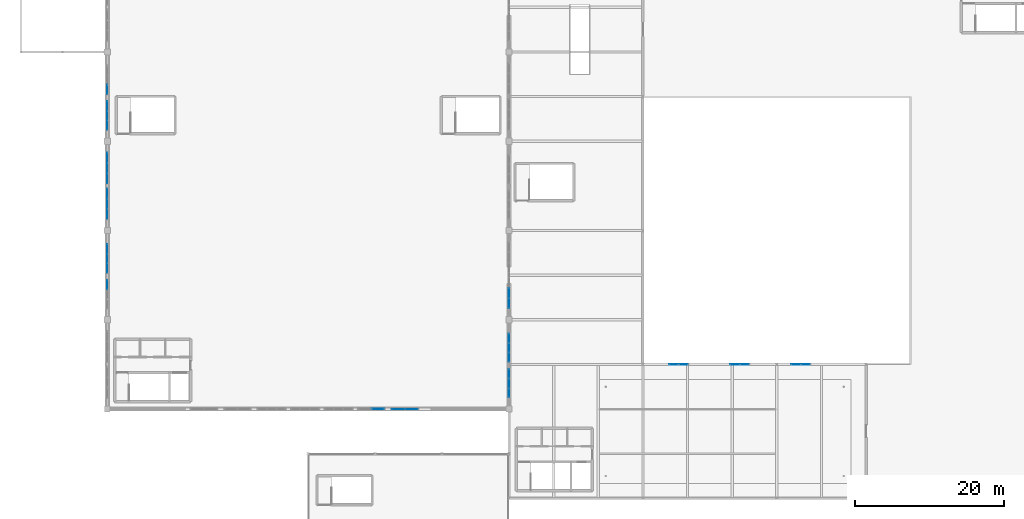
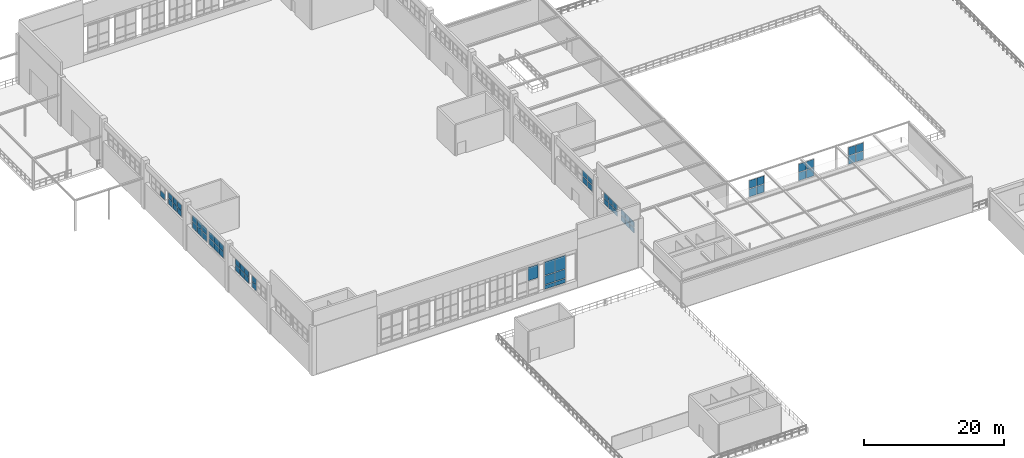
# One storey, part 71 of 97: 62 plates, 14 elements without a shape of their own.
"""IFC4 building model written with IfcOpenShell, lengths in metres."""

from ifc_helpers import new_model, si_unit, derived_unit, direction, frame, origin, origin_2d, place, context, subcontext, project, spatial, rectangle, extrude, material, layer, layer_set, type_object, element, aggregate, save


model = new_model("IFC4")

# Units and contexts
model_context = context("Model", 3, precision=1e-05, world=origin(), true_north=direction((0.0, 1.0)))
body_context = subcontext(model_context, "Body", "Model", "MODEL_VIEW")
ifc_project = project(units=[si_unit("LENGTHUNIT", "METRE"), si_unit("AREAUNIT", "SQUARE_METRE"), si_unit("VOLUMEUNIT", "CUBIC_METRE"), si_unit("PLANEANGLEUNIT", "RADIAN"), si_unit("MASSUNIT", "GRAM", prefix="KILO"), derived_unit("THERMALTRANSMITTANCEUNIT", [(si_unit("POWERUNIT", "WATT"), 1), (si_unit("LENGTHUNIT", "METRE"), -2), (si_unit("THERMODYNAMICTEMPERATUREUNIT", "KELVIN"), -1)])], contexts=[model_context])

# Site, building, storey
site_placement = place(None, origin())
site = spatial("IfcSite", under=ifc_project, at=site_placement, CompositionType="ELEMENT")
building_placement = place(site_placement, origin())
building = spatial("IfcBuilding", under=site, at=building_placement, Name="Almenara Railside Exhibition Hall", CompositionType="ELEMENT")
storey_placement = place(building_placement, frame((0.0, 0.0, 10.800048828125)))
storey = spatial("IfcBuildingStorey", under=building, at=storey_placement, Name="L02", CompositionType="ELEMENT", Elevation=10.800048828125)

# Curtain wall, plates
ifc_material_1 = material(Name="Bronze-anodised aluminium and low-E double glazing", Category="aluminium")
ifc_layer_1 = layer(ifc_material_1, 0.179931640625, Name="Bronze-anodised aluminium and low-E double glazing")
ifc_layer_set_1 = layer_set([ifc_layer_1], Name="Bronze-anodised aluminium and low-E double glazing")
curtain_wall_type_1 = type_object("IfcCurtainWallType", Name="West Hall Clerestory Curtain Wall 3900x2200", PredefinedType="NOTDEFINED", material=ifc_layer_set_1)
curtain_wall_1_placement = place(storey_placement, origin())
curtain_wall_1 = element("IfcCurtainWall", 1, at=curtain_wall_1_placement, inside=storey, type_object=curtain_wall_type_1, Name="Curtain wall CW-CL2-005", PredefinedType="NOTDEFINED")
ifc_material_2 = material(Name="Solar-control acoustic laminated glazing", Category="glass")
ifc_layer_2 = layer(ifc_material_2, 0.031982421875, Name="Solar-control acoustic laminated glazing")
ifc_layer_set_2 = layer_set([ifc_layer_2], Name="Solar-control acoustic laminated glazing")
plate_type_1 = type_object("IfcPlateType", Name="Acoustic Low-E Double Glazing Panel 32mm", PredefinedType="CURTAIN_PANEL", material=ifc_layer_set_2)
plate_1_placement = place(storey_placement, frame((12.0, 64.735107421875, 4.69384765625), z_axis=(0.0, 0.0, 1.0), x_axis=(0.0, 1.0, 0.0)))
plate_1 = element("IfcPlate", 2, at=plate_1_placement, type_object=plate_type_1, Name="CW-CL2-005 panel 3.1", PredefinedType="CURTAIN_PANEL", context=body_context, shape_type="SweptSolid", body=[
    extrude(rectangle(XDim=1.22607421875, YDim=0.031982421875, at=origin_2d()), origin(), (0.0, 0.0, 1.0), 0.967041015625),
])
plate_2_placement = place(storey_placement, frame((12.0, 64.735107421875, 5.73876953125), z_axis=(0.0, 0.0, 1.0), x_axis=(0.0, 1.0, 0.0)))
plate_2 = element("IfcPlate", 3, at=plate_2_placement, type_object=plate_type_1, Name="CW-CL2-005 panel 3.2", PredefinedType="CURTAIN_PANEL", context=body_context, shape_type="SweptSolid", body=[
    extrude(rectangle(XDim=1.22607421875, YDim=0.031982421875, at=origin_2d()), origin(), (0.0, 0.0, 1.0), 0.967041015625),
])
aggregate(curtain_wall_1, [plate_1, plate_2])

ifc_layer_3 = layer(ifc_material_1, 0.179931640625, Name="Bronze-anodised aluminium and low-E double glazing")
ifc_layer_set_3 = layer_set([ifc_layer_3], Name="Bronze-anodised aluminium and low-E double glazing")
curtain_wall_type_2 = type_object("IfcCurtainWallType", Name="West Hall Clerestory Curtain Wall 4200x2400", PredefinedType="NOTDEFINED", material=ifc_layer_set_3)
curtain_wall_2_placement = place(storey_placement, origin())
curtain_wall_2 = element("IfcCurtainWall", 4, at=curtain_wall_2_placement, inside=storey, type_object=curtain_wall_type_2, Name="Curtain wall CW-CL1-010", PredefinedType="NOTDEFINED")
plate_3_placement = place(storey_placement, frame((12.0, 79.013671875, 4.673828125), z_axis=(0.0, 0.0, 1.0), x_axis=(0.0, 1.0, 0.0)))
plate_3 = element("IfcPlate", 5, at=plate_3_placement, type_object=plate_type_1, Name="CW-CL1-010 panel 1.1", PredefinedType="CURTAIN_PANEL", context=body_context, shape_type="SweptSolid", body=[
    extrude(rectangle(XDim=1.33349609375, YDim=0.031982421875, at=origin_2d()), origin(), (0.0, 0.0, 1.0), 1.096923828125),
])
plate_4_placement = place(storey_placement, frame((12.0, 79.013671875, 5.8291015625), z_axis=(0.0, 0.0, 1.0), x_axis=(0.0, 1.0, 0.0)))
plate_4 = element("IfcPlate", 6, at=plate_4_placement, type_object=plate_type_1, Name="CW-CL1-010 panel 1.2", PredefinedType="CURTAIN_PANEL", context=body_context, shape_type="SweptSolid", body=[
    extrude(rectangle(XDim=1.33349609375, YDim=0.031982421875, at=origin_2d()), origin(), (0.0, 0.0, 1.0), 1.096923828125),
])
plate_5_placement = place(storey_placement, frame((12.0, 80.39990234375, 4.673828125), z_axis=(0.0, 0.0, 1.0), x_axis=(0.0, 1.0, 0.0)))
plate_5 = element("IfcPlate", 7, at=plate_5_placement, type_object=plate_type_1, Name="CW-CL1-010 panel 2.1", PredefinedType="CURTAIN_PANEL", context=body_context, shape_type="SweptSolid", body=[
    extrude(rectangle(XDim=1.361083984375, YDim=0.031982421875, at=origin_2d()), origin(), (0.0, 0.0, 1.0), 1.096923828125),
])
plate_6_placement = place(storey_placement, frame((12.0, 80.39990234375, 5.8291015625), z_axis=(0.0, 0.0, 1.0), x_axis=(0.0, 1.0, 0.0)))
plate_6 = element("IfcPlate", 8, at=plate_6_placement, type_object=plate_type_1, Name="CW-CL1-010 panel 2.2", PredefinedType="CURTAIN_PANEL", context=body_context, shape_type="SweptSolid", body=[
    extrude(rectangle(XDim=1.361083984375, YDim=0.031982421875, at=origin_2d()), origin(), (0.0, 0.0, 1.0), 1.096923828125),
])
plate_7_placement = place(storey_placement, frame((12.0, 81.7861328125, 4.673828125), z_axis=(0.0, 0.0, 1.0), x_axis=(0.0, 1.0, 0.0)))
plate_7 = element("IfcPlate", 9, at=plate_7_placement, type_object=plate_type_1, Name="CW-CL1-010 panel 3.1", PredefinedType="CURTAIN_PANEL", context=body_context, shape_type="SweptSolid", body=[
    extrude(rectangle(XDim=1.33349609375, YDim=0.031982421875, at=origin_2d()), origin(), (0.0, 0.0, 1.0), 1.096923828125),
])
plate_8_placement = place(storey_placement, frame((12.0, 81.7861328125, 5.8291015625), z_axis=(0.0, 0.0, 1.0), x_axis=(0.0, 1.0, 0.0)))
plate_8 = element("IfcPlate", 10, at=plate_8_placement, type_object=plate_type_1, Name="CW-CL1-010 panel 3.2", PredefinedType="CURTAIN_PANEL", context=body_context, shape_type="SweptSolid", body=[
    extrude(rectangle(XDim=1.33349609375, YDim=0.031982421875, at=origin_2d()), origin(), (0.0, 0.0, 1.0), 1.096923828125),
])
aggregate(curtain_wall_2, [plate_3, plate_4, plate_5, plate_6, plate_7, plate_8])

ifc_layer_4 = layer(ifc_material_1, 0.179931640625, Name="Bronze-anodised aluminium and low-E double glazing")
ifc_layer_set_4 = layer_set([ifc_layer_4], Name="Bronze-anodised aluminium and low-E double glazing")
curtain_wall_type_3 = type_object("IfcCurtainWallType", Name="Belvedere Patio Loggia Curtain Wall 2600x3100", PredefinedType="NOTDEFINED", material=ifc_layer_set_4)
curtain_wall_3_placement = place(storey_placement, origin())
curtain_wall_3 = element("IfcCurtainWall", 11, at=curtain_wall_3_placement, inside=storey, type_object=curtain_wall_type_3, Name="Curtain wall CW-BV2-160", PredefinedType="NOTDEFINED")
plate_9_placement = place(storey_placement, frame((88.166259765625, 54.0, 0.823974609375), z_axis=(0.0, 0.0, 1.0), x_axis=(1.0, 0.0, 0.0)))
plate_9 = element("IfcPlate", 12, at=plate_9_placement, type_object=plate_type_1, Name="CW-BV2-160 panel 1.1", PredefinedType="CURTAIN_PANEL", context=body_context, shape_type="SweptSolid", body=[
    extrude(rectangle(XDim=1.218505859375, YDim=0.031982421875, at=origin_2d()), origin(), (0.0, 0.0, 1.0), 1.3720703125),
])
plate_10_placement = place(storey_placement, frame((88.166259765625, 54.0, 2.303955078125), z_axis=(0.0, 0.0, 1.0), x_axis=(1.0, 0.0, 0.0)))
plate_10 = element("IfcPlate", 13, at=plate_10_placement, type_object=plate_type_1, Name="CW-BV2-160 panel 1.2", PredefinedType="CURTAIN_PANEL", context=body_context, shape_type="SweptSolid", body=[
    extrude(rectangle(XDim=1.218505859375, YDim=0.031982421875, at=origin_2d()), origin(), (0.0, 0.0, 1.0), 1.3720703125),
])
plate_11_placement = place(storey_placement, frame((89.433837890625, 54.0, 0.823974609375), z_axis=(0.0, 0.0, 1.0), x_axis=(1.0, 0.0, 0.0)))
plate_11 = element("IfcPlate", 14, at=plate_11_placement, type_object=plate_type_1, Name="CW-BV2-160 panel 2.1", PredefinedType="CURTAIN_PANEL", context=body_context, shape_type="SweptSolid", body=[
    extrude(rectangle(XDim=1.218505859375, YDim=0.031982421875, at=origin_2d()), origin(), (0.0, 0.0, 1.0), 1.3720703125),
])
plate_12_placement = place(storey_placement, frame((89.433837890625, 54.0, 2.303955078125), z_axis=(0.0, 0.0, 1.0), x_axis=(1.0, 0.0, 0.0)))
plate_12 = element("IfcPlate", 15, at=plate_12_placement, type_object=plate_type_1, Name="CW-BV2-160 panel 2.2", PredefinedType="CURTAIN_PANEL", context=body_context, shape_type="SweptSolid", body=[
    extrude(rectangle(XDim=1.218505859375, YDim=0.031982421875, at=origin_2d()), origin(), (0.0, 0.0, 1.0), 1.3720703125),
])
aggregate(curtain_wall_3, [plate_9, plate_10, plate_11, plate_12])

curtain_wall_4_placement = place(storey_placement, origin())
curtain_wall_4 = element("IfcCurtainWall", 16, at=curtain_wall_4_placement, inside=storey, type_object=curtain_wall_type_2, Name="Curtain wall CW-CL1-007", PredefinedType="NOTDEFINED")
ifc_material_3 = material(Name="Clear low-E laminated double glazing", Category="glass")
ifc_layer_5 = layer(ifc_material_3, 0.02392578125, Name="Clear low-E laminated double glazing")
ifc_layer_set_5 = layer_set([ifc_layer_5], Name="Clear low-E laminated double glazing")
plate_type_2 = type_object("IfcPlateType", Name="Courtyard Clear Double Glazing Panel 24mm", PredefinedType="CURTAIN_PANEL", material=ifc_layer_set_5)
plate_13_placement = place(storey_placement, frame((66.0, 62.217529296875, 4.744140625), z_axis=(0.0, 0.0, 1.0), x_axis=(0.0, 1.0, 0.0)))
plate_13 = element("IfcPlate", 17, at=plate_13_placement, type_object=plate_type_2, Name="CW-CL1-007 panel 1.1", PredefinedType="CURTAIN_PANEL", context=body_context, shape_type="SweptSolid", body=[
    extrude(rectangle(XDim=1.31103515625, YDim=0.02392578125, at=origin_2d()), origin(), (0.0, 0.0, 1.0), 0.991943359375),
])
plate_14_placement = place(storey_placement, frame((66.0, 62.217529296875, 5.86376953125), z_axis=(0.0, 0.0, 1.0), x_axis=(0.0, 1.0, 0.0)))
plate_14 = element("IfcPlate", 18, at=plate_14_placement, type_object=plate_type_2, Name="CW-CL1-007 panel 1.2", PredefinedType="CURTAIN_PANEL", context=body_context, shape_type="SweptSolid", body=[
    extrude(rectangle(XDim=1.31103515625, YDim=0.02392578125, at=origin_2d()), origin(), (0.0, 0.0, 1.0), 0.991943359375),
])
plate_15_placement = place(storey_placement, frame((66.0, 63.60009765625, 4.744140625), z_axis=(0.0, 0.0, 1.0), x_axis=(0.0, 1.0, 0.0)))
plate_15 = element("IfcPlate", 19, at=plate_15_placement, type_object=plate_type_2, Name="CW-CL1-007 panel 2.1", PredefinedType="CURTAIN_PANEL", context=body_context, shape_type="SweptSolid", body=[
    extrude(rectangle(XDim=1.345947265625, YDim=0.02392578125, at=origin_2d()), origin(), (0.0, 0.0, 1.0), 0.991943359375),
])
plate_16_placement = place(storey_placement, frame((66.0, 63.60009765625, 5.86376953125), z_axis=(0.0, 0.0, 1.0), x_axis=(0.0, 1.0, 0.0)))
plate_16 = element("IfcPlate", 20, at=plate_16_placement, type_object=plate_type_2, Name="CW-CL1-007 panel 2.2", PredefinedType="CURTAIN_PANEL", context=body_context, shape_type="SweptSolid", body=[
    extrude(rectangle(XDim=1.345947265625, YDim=0.02392578125, at=origin_2d()), origin(), (0.0, 0.0, 1.0), 0.991943359375),
])
aggregate(curtain_wall_4, [plate_13, plate_14, plate_15, plate_16])

ifc_layer_6 = layer(ifc_material_1, 0.179931640625, Name="Bronze-anodised aluminium and low-E double glazing")
ifc_layer_set_6 = layer_set([ifc_layer_6], Name="Bronze-anodised aluminium and low-E double glazing")
curtain_wall_type_4 = type_object("IfcCurtainWallType", Name="Scroll Gable Standard Curtain Wall 3600x5000", PredefinedType="NOTDEFINED", material=ifc_layer_set_6)
curtain_wall_5_placement = place(storey_placement, origin())
curtain_wall_5 = element("IfcCurtainWall", 21, at=curtain_wall_5_placement, inside=storey, type_object=curtain_wall_type_4, Name="Curtain wall CW-G2-037", PredefinedType="NOTDEFINED")
plate_17_placement = place(storey_placement, frame((51.1162109375, 48.0, 1.3740234375), z_axis=(0.0, 0.0, 1.0), x_axis=(1.0, 0.0, 0.0)))
plate_17 = element("IfcPlate", 22, at=plate_17_placement, type_object=plate_type_2, Name="CW-G2-037 panel 1.1", PredefinedType="CURTAIN_PANEL", context=body_context, shape_type="SweptSolid", body=[
    extrude(rectangle(XDim=1.718505859375, YDim=0.02392578125, at=origin_2d()), origin(), (0.0, 0.0, 1.0), 0.672119140625),
])
plate_18_placement = place(storey_placement, frame((51.1162109375, 48.0, 2.154052734375), z_axis=(0.0, 0.0, 1.0), x_axis=(1.0, 0.0, 0.0)))
plate_18 = element("IfcPlate", 23, at=plate_18_placement, type_object=plate_type_2, Name="CW-G2-037 panel 1.2", PredefinedType="CURTAIN_PANEL", context=body_context, shape_type="SweptSolid", body=[
    extrude(rectangle(XDim=1.718505859375, YDim=0.02392578125, at=origin_2d()), origin(), (0.0, 0.0, 1.0), 1.5419921875),
])
plate_19_placement = place(storey_placement, frame((51.1162109375, 48.0, 3.8037109375), z_axis=(0.0, 0.0, 1.0), x_axis=(1.0, 0.0, 0.0)))
plate_19 = element("IfcPlate", 24, at=plate_19_placement, type_object=plate_type_2, Name="CW-G2-037 panel 1.3", PredefinedType="CURTAIN_PANEL", context=body_context, shape_type="SweptSolid", body=[
    extrude(rectangle(XDim=1.718505859375, YDim=0.02392578125, at=origin_2d()), origin(), (0.0, 0.0, 1.0), 2.322021484375),
])
plate_20_placement = place(storey_placement, frame((52.8837890625, 48.0, 1.3740234375), z_axis=(0.0, 0.0, 1.0), x_axis=(1.0, 0.0, 0.0)))
plate_20 = element("IfcPlate", 25, at=plate_20_placement, type_object=plate_type_2, Name="CW-G2-037 panel 2.1", PredefinedType="CURTAIN_PANEL", context=body_context, shape_type="SweptSolid", body=[
    extrude(rectangle(XDim=1.718505859375, YDim=0.02392578125, at=origin_2d()), origin(), (0.0, 0.0, 1.0), 0.672119140625),
])
plate_21_placement = place(storey_placement, frame((52.8837890625, 48.0, 2.154052734375), z_axis=(0.0, 0.0, 1.0), x_axis=(1.0, 0.0, 0.0)))
plate_21 = element("IfcPlate", 26, at=plate_21_placement, type_object=plate_type_2, Name="CW-G2-037 panel 2.2", PredefinedType="CURTAIN_PANEL", context=body_context, shape_type="SweptSolid", body=[
    extrude(rectangle(XDim=1.718505859375, YDim=0.02392578125, at=origin_2d()), origin(), (0.0, 0.0, 1.0), 1.5419921875),
])
plate_22_placement = place(storey_placement, frame((52.8837890625, 48.0, 3.8037109375), z_axis=(0.0, 0.0, 1.0), x_axis=(1.0, 0.0, 0.0)))
plate_22 = element("IfcPlate", 27, at=plate_22_placement, type_object=plate_type_2, Name="CW-G2-037 panel 2.3", PredefinedType="CURTAIN_PANEL", context=body_context, shape_type="SweptSolid", body=[
    extrude(rectangle(XDim=1.718505859375, YDim=0.02392578125, at=origin_2d()), origin(), (0.0, 0.0, 1.0), 2.322021484375),
])
aggregate(curtain_wall_5, [plate_17, plate_18, plate_19, plate_20, plate_21, plate_22])

curtain_wall_6_placement = place(storey_placement, origin())
curtain_wall_6 = element("IfcCurtainWall", 28, at=curtain_wall_6_placement, inside=storey, type_object=curtain_wall_type_3, Name="Curtain wall CW-BV2-162", PredefinedType="NOTDEFINED")
plate_23_placement = place(storey_placement, frame((104.563720703125, 54.0, 0.77392578125), z_axis=(0.0, 0.0, 1.0), x_axis=(1.0, 0.0, 0.0)))
plate_23 = element("IfcPlate", 29, at=plate_23_placement, type_object=plate_type_2, Name="CW-BV2-162 panel 1.1", PredefinedType="CURTAIN_PANEL", context=body_context, shape_type="SweptSolid", body=[
    extrude(rectangle(XDim=1.2333984375, YDim=0.02392578125, at=origin_2d()), origin(), (0.0, 0.0, 1.0), 1.447021484375),
])
plate_24_placement = place(storey_placement, frame((104.563720703125, 54.0, 2.27880859375), z_axis=(0.0, 0.0, 1.0), x_axis=(1.0, 0.0, 0.0)))
plate_24 = element("IfcPlate", 30, at=plate_24_placement, type_object=plate_type_2, Name="CW-BV2-162 panel 1.2", PredefinedType="CURTAIN_PANEL", context=body_context, shape_type="SweptSolid", body=[
    extrude(rectangle(XDim=1.2333984375, YDim=0.02392578125, at=origin_2d()), origin(), (0.0, 0.0, 1.0), 1.447021484375),
])
plate_25_placement = place(storey_placement, frame((105.836181640625, 54.0, 0.77392578125), z_axis=(0.0, 0.0, 1.0), x_axis=(1.0, 0.0, 0.0)))
plate_25 = element("IfcPlate", 31, at=plate_25_placement, type_object=plate_type_2, Name="CW-BV2-162 panel 2.1", PredefinedType="CURTAIN_PANEL", context=body_context, shape_type="SweptSolid", body=[
    extrude(rectangle(XDim=1.2333984375, YDim=0.02392578125, at=origin_2d()), origin(), (0.0, 0.0, 1.0), 1.447021484375),
])
plate_26_placement = place(storey_placement, frame((105.836181640625, 54.0, 2.27880859375), z_axis=(0.0, 0.0, 1.0), x_axis=(1.0, 0.0, 0.0)))
plate_26 = element("IfcPlate", 32, at=plate_26_placement, type_object=plate_type_2, Name="CW-BV2-162 panel 2.2", PredefinedType="CURTAIN_PANEL", context=body_context, shape_type="SweptSolid", body=[
    extrude(rectangle(XDim=1.2333984375, YDim=0.02392578125, at=origin_2d()), origin(), (0.0, 0.0, 1.0), 1.447021484375),
])
aggregate(curtain_wall_6, [plate_23, plate_24, plate_25, plate_26])

curtain_wall_7_placement = place(storey_placement, origin())
curtain_wall_7 = element("IfcCurtainWall", 33, at=curtain_wall_7_placement, inside=storey, type_object=curtain_wall_type_1, Name="Curtain wall CW-CL2-003", PredefinedType="NOTDEFINED")
ifc_material_4 = material(Name="Bronze-anodised insulated aluminium spandrel", Category="aluminium")
ifc_layer_7 = layer(ifc_material_4, 0.0400390625, Name="Bronze-anodised insulated aluminium spandrel")
ifc_layer_set_7 = layer_set([ifc_layer_7], Name="Bronze-anodised insulated aluminium spandrel")
plate_type_3 = type_object("IfcPlateType", Name="Insulated Bronze Spandrel Panel 40mm", PredefinedType="CURTAIN_PANEL", material=ifc_layer_set_7)
plate_27_placement = place(storey_placement, frame((66.0, 50.16748046875, 4.743896484375), z_axis=(0.0, 0.0, 1.0), x_axis=(0.0, 1.0, 0.0)))
plate_27 = element("IfcPlate", 34, at=plate_27_placement, type_object=plate_type_3, Name="CW-CL2-003 panel 1.1", PredefinedType="CURTAIN_PANEL", context=body_context, shape_type="SweptSolid", body=[
    extrude(rectangle(XDim=1.2109375, YDim=0.0400390625, at=origin_2d()), origin(), (0.0, 0.0, 1.0), 0.89208984375),
])
plate_28_placement = place(storey_placement, frame((66.0, 50.16748046875, 5.763916015625), z_axis=(0.0, 0.0, 1.0), x_axis=(0.0, 1.0, 0.0)))
plate_28 = element("IfcPlate", 35, at=plate_28_placement, type_object=plate_type_3, Name="CW-CL2-003 panel 1.2", PredefinedType="CURTAIN_PANEL", context=body_context, shape_type="SweptSolid", body=[
    extrude(rectangle(XDim=1.2109375, YDim=0.0400390625, at=origin_2d()), origin(), (0.0, 0.0, 1.0), 0.89208984375),
])
plate_29_placement = place(storey_placement, frame((66.0, 51.449951171875, 4.743896484375), z_axis=(0.0, 0.0, 1.0), x_axis=(0.0, 1.0, 0.0)))
plate_29 = element("IfcPlate", 36, at=plate_29_placement, type_object=plate_type_3, Name="CW-CL2-003 panel 2.1", PredefinedType="CURTAIN_PANEL", context=body_context, shape_type="SweptSolid", body=[
    extrude(rectangle(XDim=1.24609375, YDim=0.0400390625, at=origin_2d()), origin(), (0.0, 0.0, 1.0), 0.89208984375),
])
plate_30_placement = place(storey_placement, frame((66.0, 51.449951171875, 5.763916015625), z_axis=(0.0, 0.0, 1.0), x_axis=(0.0, 1.0, 0.0)))
plate_30 = element("IfcPlate", 37, at=plate_30_placement, type_object=plate_type_3, Name="CW-CL2-003 panel 2.2", PredefinedType="CURTAIN_PANEL", context=body_context, shape_type="SweptSolid", body=[
    extrude(rectangle(XDim=1.24609375, YDim=0.0400390625, at=origin_2d()), origin(), (0.0, 0.0, 1.0), 0.89208984375),
])
plate_31_placement = place(storey_placement, frame((66.0, 52.732421875, 4.743896484375), z_axis=(0.0, 0.0, 1.0), x_axis=(0.0, 1.0, 0.0)))
plate_31 = element("IfcPlate", 38, at=plate_31_placement, type_object=plate_type_3, Name="CW-CL2-003 panel 3.1", PredefinedType="CURTAIN_PANEL", context=body_context, shape_type="SweptSolid", body=[
    extrude(rectangle(XDim=1.2109375, YDim=0.0400390625, at=origin_2d()), origin(), (0.0, 0.0, 1.0), 0.89208984375),
])
plate_32_placement = place(storey_placement, frame((66.0, 52.732421875, 5.763916015625), z_axis=(0.0, 0.0, 1.0), x_axis=(0.0, 1.0, 0.0)))
plate_32 = element("IfcPlate", 39, at=plate_32_placement, type_object=plate_type_3, Name="CW-CL2-003 panel 3.2", PredefinedType="CURTAIN_PANEL", context=body_context, shape_type="SweptSolid", body=[
    extrude(rectangle(XDim=1.2109375, YDim=0.0400390625, at=origin_2d()), origin(), (0.0, 0.0, 1.0), 0.89208984375),
])
aggregate(curtain_wall_7, [plate_27, plate_28, plate_29, plate_30, plate_31, plate_32])

curtain_wall_8_placement = place(storey_placement, origin())
curtain_wall_8 = element("IfcCurtainWall", 40, at=curtain_wall_8_placement, inside=storey, type_object=curtain_wall_type_1, Name="Curtain wall CW-CL2-013", PredefinedType="NOTDEFINED")
plate_33_placement = place(storey_placement, frame((12.0, 86.1650390625, 4.69384765625), z_axis=(0.0, 0.0, 1.0), x_axis=(0.0, 1.0, 0.0)))
plate_33 = element("IfcPlate", 41, at=plate_33_placement, type_object=plate_type_3, Name="CW-CL2-013 panel 1.1", PredefinedType="CURTAIN_PANEL", context=body_context, shape_type="SweptSolid", body=[
    extrude(rectangle(XDim=1.22607421875, YDim=0.0400390625, at=origin_2d()), origin(), (0.0, 0.0, 1.0), 0.967041015625),
])
plate_34_placement = place(storey_placement, frame((12.0, 86.1650390625, 5.73876953125), z_axis=(0.0, 0.0, 1.0), x_axis=(0.0, 1.0, 0.0)))
plate_34 = element("IfcPlate", 42, at=plate_34_placement, type_object=plate_type_3, Name="CW-CL2-013 panel 1.2", PredefinedType="CURTAIN_PANEL", context=body_context, shape_type="SweptSolid", body=[
    extrude(rectangle(XDim=1.22607421875, YDim=0.0400390625, at=origin_2d()), origin(), (0.0, 0.0, 1.0), 0.967041015625),
])
plate_35_placement = place(storey_placement, frame((12.0, 87.449951171875, 4.69384765625), z_axis=(0.0, 0.0, 1.0), x_axis=(0.0, 1.0, 0.0)))
plate_35 = element("IfcPlate", 43, at=plate_35_placement, type_object=plate_type_3, Name="CW-CL2-013 panel 2.1", PredefinedType="CURTAIN_PANEL", context=body_context, shape_type="SweptSolid", body=[
    extrude(rectangle(XDim=1.256103515625, YDim=0.0400390625, at=origin_2d()), origin(), (0.0, 0.0, 1.0), 0.967041015625),
])
plate_36_placement = place(storey_placement, frame((12.0, 87.449951171875, 5.73876953125), z_axis=(0.0, 0.0, 1.0), x_axis=(0.0, 1.0, 0.0)))
plate_36 = element("IfcPlate", 44, at=plate_36_placement, type_object=plate_type_3, Name="CW-CL2-013 panel 2.2", PredefinedType="CURTAIN_PANEL", context=body_context, shape_type="SweptSolid", body=[
    extrude(rectangle(XDim=1.256103515625, YDim=0.0400390625, at=origin_2d()), origin(), (0.0, 0.0, 1.0), 0.967041015625),
])
plate_37_placement = place(storey_placement, frame((12.0, 88.735107421875, 4.69384765625), z_axis=(0.0, 0.0, 1.0), x_axis=(0.0, 1.0, 0.0)))
plate_37 = element("IfcPlate", 45, at=plate_37_placement, type_object=plate_type_3, Name="CW-CL2-013 panel 3.1", PredefinedType="CURTAIN_PANEL", context=body_context, shape_type="SweptSolid", body=[
    extrude(rectangle(XDim=1.22607421875, YDim=0.0400390625, at=origin_2d()), origin(), (0.0, 0.0, 1.0), 0.967041015625),
])
plate_38_placement = place(storey_placement, frame((12.0, 88.735107421875, 5.73876953125), z_axis=(0.0, 0.0, 1.0), x_axis=(0.0, 1.0, 0.0)))
plate_38 = element("IfcPlate", 46, at=plate_38_placement, type_object=plate_type_3, Name="CW-CL2-013 panel 3.2", PredefinedType="CURTAIN_PANEL", context=body_context, shape_type="SweptSolid", body=[
    extrude(rectangle(XDim=1.22607421875, YDim=0.0400390625, at=origin_2d()), origin(), (0.0, 0.0, 1.0), 0.967041015625),
])
aggregate(curtain_wall_8, [plate_33, plate_34, plate_35, plate_36, plate_37, plate_38])

curtain_wall_9_placement = place(storey_placement, origin())
curtain_wall_9 = element("IfcCurtainWall", 47, at=curtain_wall_9_placement, inside=storey, type_object=curtain_wall_type_1, Name="Curtain wall CW-CL2-004", PredefinedType="NOTDEFINED")
ifc_layer_8 = layer(ifc_material_4, 0.034912109375, Name="Bronze-anodised insulated aluminium spandrel")
ifc_layer_set_8 = layer_set([ifc_layer_8], Name="Bronze-anodised insulated aluminium spandrel")
plate_type_4 = type_object("IfcPlateType", Name="Insulated Stucco-Tone Spandrel Panel 35mm", PredefinedType="CURTAIN_PANEL", material=ifc_layer_set_8)
plate_39_placement = place(storey_placement, frame((66.0, 54.96630859375, 4.72412109375), z_axis=(0.0, 0.0, 1.0), x_axis=(0.0, 1.0, 0.0)))
plate_39 = element("IfcPlate", 48, at=plate_39_placement, type_object=plate_type_4, Name="CW-CL2-004 panel 1.1", PredefinedType="CURTAIN_PANEL", context=body_context, shape_type="SweptSolid", body=[
    extrude(rectangle(XDim=1.218505859375, YDim=0.034912109375, at=origin_2d()), origin(), (0.0, 0.0, 1.0), 0.922119140625),
])
plate_40_placement = place(storey_placement, frame((66.0, 54.96630859375, 5.75390625), z_axis=(0.0, 0.0, 1.0), x_axis=(0.0, 1.0, 0.0)))
plate_40 = element("IfcPlate", 49, at=plate_40_placement, type_object=plate_type_4, Name="CW-CL2-004 panel 1.2", PredefinedType="CURTAIN_PANEL", context=body_context, shape_type="SweptSolid", body=[
    extrude(rectangle(XDim=1.218505859375, YDim=0.034912109375, at=origin_2d()), origin(), (0.0, 0.0, 1.0), 0.922119140625),
])
plate_41_placement = place(storey_placement, frame((66.0, 56.25, 4.72412109375), z_axis=(0.0, 0.0, 1.0), x_axis=(0.0, 1.0, 0.0)))
plate_41 = element("IfcPlate", 50, at=plate_41_placement, type_object=plate_type_4, Name="CW-CL2-004 panel 2.1", PredefinedType="CURTAIN_PANEL", context=body_context, shape_type="SweptSolid", body=[
    extrude(rectangle(XDim=1.2509765625, YDim=0.034912109375, at=origin_2d()), origin(), (0.0, 0.0, 1.0), 0.922119140625),
])
plate_42_placement = place(storey_placement, frame((66.0, 56.25, 5.75390625), z_axis=(0.0, 0.0, 1.0), x_axis=(0.0, 1.0, 0.0)))
plate_42 = element("IfcPlate", 51, at=plate_42_placement, type_object=plate_type_4, Name="CW-CL2-004 panel 2.2", PredefinedType="CURTAIN_PANEL", context=body_context, shape_type="SweptSolid", body=[
    extrude(rectangle(XDim=1.2509765625, YDim=0.034912109375, at=origin_2d()), origin(), (0.0, 0.0, 1.0), 0.922119140625),
])
plate_43_placement = place(storey_placement, frame((66.0, 57.53369140625, 4.72412109375), z_axis=(0.0, 0.0, 1.0), x_axis=(0.0, 1.0, 0.0)))
plate_43 = element("IfcPlate", 52, at=plate_43_placement, type_object=plate_type_4, Name="CW-CL2-004 panel 3.1", PredefinedType="CURTAIN_PANEL", context=body_context, shape_type="SweptSolid", body=[
    extrude(rectangle(XDim=1.218505859375, YDim=0.034912109375, at=origin_2d()), origin(), (0.0, 0.0, 1.0), 0.922119140625),
])
plate_44_placement = place(storey_placement, frame((66.0, 57.53369140625, 5.75390625), z_axis=(0.0, 0.0, 1.0), x_axis=(0.0, 1.0, 0.0)))
plate_44 = element("IfcPlate", 53, at=plate_44_placement, type_object=plate_type_4, Name="CW-CL2-004 panel 3.2", PredefinedType="CURTAIN_PANEL", context=body_context, shape_type="SweptSolid", body=[
    extrude(rectangle(XDim=1.218505859375, YDim=0.034912109375, at=origin_2d()), origin(), (0.0, 0.0, 1.0), 0.922119140625),
])
aggregate(curtain_wall_9, [plate_39, plate_40, plate_41, plate_42, plate_43, plate_44])

curtain_wall_10_placement = place(storey_placement, origin())
curtain_wall_10 = element("IfcCurtainWall", 54, at=curtain_wall_10_placement, inside=storey, type_object=curtain_wall_type_2, Name="Curtain wall CW-CL1-009", PredefinedType="NOTDEFINED")
plate_45_placement = place(storey_placement, frame((12.0, 74.215087890625, 4.694091796875), z_axis=(0.0, 0.0, 1.0), x_axis=(0.0, 1.0, 0.0)))
plate_45 = element("IfcPlate", 55, at=plate_45_placement, type_object=plate_type_4, Name="CW-CL1-009 panel 1.1", PredefinedType="CURTAIN_PANEL", context=body_context, shape_type="SweptSolid", body=[
    extrude(rectangle(XDim=1.325927734375, YDim=0.034912109375, at=origin_2d()), origin(), (0.0, 0.0, 1.0), 1.06689453125),
])
plate_46_placement = place(storey_placement, frame((12.0, 74.215087890625, 5.839111328125), z_axis=(0.0, 0.0, 1.0), x_axis=(0.0, 1.0, 0.0)))
plate_46 = element("IfcPlate", 56, at=plate_46_placement, type_object=plate_type_4, Name="CW-CL1-009 panel 1.2", PredefinedType="CURTAIN_PANEL", context=body_context, shape_type="SweptSolid", body=[
    extrude(rectangle(XDim=1.325927734375, YDim=0.034912109375, at=origin_2d()), origin(), (0.0, 0.0, 1.0), 1.06689453125),
])
plate_47_placement = place(storey_placement, frame((12.0, 75.60009765625, 4.694091796875), z_axis=(0.0, 0.0, 1.0), x_axis=(0.0, 1.0, 0.0)))
plate_47 = element("IfcPlate", 57, at=plate_47_placement, type_object=plate_type_4, Name="CW-CL1-009 panel 2.1", PredefinedType="CURTAIN_PANEL", context=body_context, shape_type="SweptSolid", body=[
    extrude(rectangle(XDim=1.35595703125, YDim=0.034912109375, at=origin_2d()), origin(), (0.0, 0.0, 1.0), 1.06689453125),
])
plate_48_placement = place(storey_placement, frame((12.0, 75.60009765625, 5.839111328125), z_axis=(0.0, 0.0, 1.0), x_axis=(0.0, 1.0, 0.0)))
plate_48 = element("IfcPlate", 58, at=plate_48_placement, type_object=plate_type_4, Name="CW-CL1-009 panel 2.2", PredefinedType="CURTAIN_PANEL", context=body_context, shape_type="SweptSolid", body=[
    extrude(rectangle(XDim=1.35595703125, YDim=0.034912109375, at=origin_2d()), origin(), (0.0, 0.0, 1.0), 1.06689453125),
])
plate_49_placement = place(storey_placement, frame((12.0, 76.985107421875, 4.694091796875), z_axis=(0.0, 0.0, 1.0), x_axis=(0.0, 1.0, 0.0)))
plate_49 = element("IfcPlate", 59, at=plate_49_placement, type_object=plate_type_4, Name="CW-CL1-009 panel 3.1", PredefinedType="CURTAIN_PANEL", context=body_context, shape_type="SweptSolid", body=[
    extrude(rectangle(XDim=1.325927734375, YDim=0.034912109375, at=origin_2d()), origin(), (0.0, 0.0, 1.0), 1.06689453125),
])
plate_50_placement = place(storey_placement, frame((12.0, 76.985107421875, 5.839111328125), z_axis=(0.0, 0.0, 1.0), x_axis=(0.0, 1.0, 0.0)))
plate_50 = element("IfcPlate", 60, at=plate_50_placement, type_object=plate_type_4, Name="CW-CL1-009 panel 3.2", PredefinedType="CURTAIN_PANEL", context=body_context, shape_type="SweptSolid", body=[
    extrude(rectangle(XDim=1.325927734375, YDim=0.034912109375, at=origin_2d()), origin(), (0.0, 0.0, 1.0), 1.06689453125),
])
aggregate(curtain_wall_10, [plate_45, plate_46, plate_47, plate_48, plate_49, plate_50])

# Curtain wall, plate
curtain_wall_11_placement = place(storey_placement, origin())
curtain_wall_11 = element("IfcCurtainWall", 61, at=curtain_wall_11_placement, inside=storey, type_object=curtain_wall_type_1, Name="Curtain wall CW-CL2-014", PredefinedType="NOTDEFINED")
plate_51_placement = place(storey_placement, frame((12.0, 90.9638671875, 4.673828125), z_axis=(0.0, 0.0, 1.0), x_axis=(0.0, 1.0, 0.0)))
plate_51 = element("IfcPlate", 62, at=plate_51_placement, type_object=plate_type_4, Name="CW-CL2-014 panel 1.1", PredefinedType="CURTAIN_PANEL", context=body_context, shape_type="SweptSolid", body=[
    extrude(rectangle(XDim=1.2333984375, YDim=0.034912109375, at=origin_2d()), origin(), (0.0, 0.0, 1.0), 0.9970703125),
])
aggregate(curtain_wall_11, [plate_51])

# Curtain wall, plates
curtain_wall_12_placement = place(storey_placement, origin())
curtain_wall_12 = element("IfcCurtainWall", 63, at=curtain_wall_12_placement, inside=storey, type_object=curtain_wall_type_1, Name="Curtain wall CW-CL2-006", PredefinedType="NOTDEFINED")
ifc_material_5 = material(Name="Solar-control low-E laminated double glazing", Category="glass")
ifc_layer_9 = layer(ifc_material_5, 0.028076171875, Name="Solar-control low-E laminated double glazing")
ifc_layer_set_9 = layer_set([ifc_layer_9], Name="Solar-control low-E laminated double glazing")
plate_type_5 = type_object("IfcPlateType", Name="Low-E Solar Control Double Glazing Panel 28mm", PredefinedType="CURTAIN_PANEL", material=ifc_layer_set_9)
plate_52_placement = place(storey_placement, frame((12.0, 66.9638671875, 4.673828125), z_axis=(0.0, 0.0, 1.0), x_axis=(0.0, 1.0, 0.0)))
plate_52 = element("IfcPlate", 64, at=plate_52_placement, type_object=plate_type_5, Name="CW-CL2-006 panel 1.1", PredefinedType="CURTAIN_PANEL", context=body_context, shape_type="SweptSolid", body=[
    extrude(rectangle(XDim=1.2333984375, YDim=0.028076171875, at=origin_2d()), origin(), (0.0, 0.0, 1.0), 0.9970703125),
])
plate_53_placement = place(storey_placement, frame((12.0, 66.9638671875, 5.72900390625), z_axis=(0.0, 0.0, 1.0), x_axis=(0.0, 1.0, 0.0)))
plate_53 = element("IfcPlate", 65, at=plate_53_placement, type_object=plate_type_5, Name="CW-CL2-006 panel 1.2", PredefinedType="CURTAIN_PANEL", context=body_context, shape_type="SweptSolid", body=[
    extrude(rectangle(XDim=1.2333984375, YDim=0.028076171875, at=origin_2d()), origin(), (0.0, 0.0, 1.0), 0.9970703125),
])
plate_54_placement = place(storey_placement, frame((12.0, 68.25, 4.673828125), z_axis=(0.0, 0.0, 1.0), x_axis=(0.0, 1.0, 0.0)))
plate_54 = element("IfcPlate", 66, at=plate_54_placement, type_object=plate_type_5, Name="CW-CL2-006 panel 2.1", PredefinedType="CURTAIN_PANEL", context=body_context, shape_type="SweptSolid", body=[
    extrude(rectangle(XDim=1.260986328125, YDim=0.028076171875, at=origin_2d()), origin(), (0.0, 0.0, 1.0), 0.9970703125),
])
plate_55_placement = place(storey_placement, frame((12.0, 68.25, 5.72900390625), z_axis=(0.0, 0.0, 1.0), x_axis=(0.0, 1.0, 0.0)))
plate_55 = element("IfcPlate", 67, at=plate_55_placement, type_object=plate_type_5, Name="CW-CL2-006 panel 2.2", PredefinedType="CURTAIN_PANEL", context=body_context, shape_type="SweptSolid", body=[
    extrude(rectangle(XDim=1.260986328125, YDim=0.028076171875, at=origin_2d()), origin(), (0.0, 0.0, 1.0), 0.9970703125),
])
plate_56_placement = place(storey_placement, frame((12.0, 69.5361328125, 4.673828125), z_axis=(0.0, 0.0, 1.0), x_axis=(0.0, 1.0, 0.0)))
plate_56 = element("IfcPlate", 68, at=plate_56_placement, type_object=plate_type_5, Name="CW-CL2-006 panel 3.1", PredefinedType="CURTAIN_PANEL", context=body_context, shape_type="SweptSolid", body=[
    extrude(rectangle(XDim=1.2333984375, YDim=0.028076171875, at=origin_2d()), origin(), (0.0, 0.0, 1.0), 0.9970703125),
])
plate_57_placement = place(storey_placement, frame((12.0, 69.5361328125, 5.72900390625), z_axis=(0.0, 0.0, 1.0), x_axis=(0.0, 1.0, 0.0)))
plate_57 = element("IfcPlate", 69, at=plate_57_placement, type_object=plate_type_5, Name="CW-CL2-006 panel 3.2", PredefinedType="CURTAIN_PANEL", context=body_context, shape_type="SweptSolid", body=[
    extrude(rectangle(XDim=1.2333984375, YDim=0.028076171875, at=origin_2d()), origin(), (0.0, 0.0, 1.0), 0.9970703125),
])
aggregate(curtain_wall_12, [plate_52, plate_53, plate_54, plate_55, plate_56, plate_57])

# Curtain wall, plate
curtain_wall_13_placement = place(storey_placement, origin())
curtain_wall_13 = element("IfcCurtainWall", 70, at=curtain_wall_13_placement, inside=storey, type_object=curtain_wall_type_4, Name="Curtain wall CW-G2-036", PredefinedType="NOTDEFINED")
plate_58_placement = place(storey_placement, frame((48.382568359375, 48.0, 3.81396484375), z_axis=(0.0, 0.0, 1.0), x_axis=(1.0, 0.0, 0.0)))
plate_58 = element("IfcPlate", 71, at=plate_58_placement, type_object=plate_type_5, Name="CW-G2-036 panel 2.3", PredefinedType="CURTAIN_PANEL", context=body_context, shape_type="SweptSolid", body=[
    extrude(rectangle(XDim=1.7109375, YDim=0.028076171875, at=origin_2d()), origin(), (0.0, 0.0, 1.0), 2.2919921875),
])
aggregate(curtain_wall_13, [plate_58])

# Curtain wall, plates
curtain_wall_14_placement = place(storey_placement, origin())
curtain_wall_14 = element("IfcCurtainWall", 72, at=curtain_wall_14_placement, inside=storey, type_object=curtain_wall_type_3, Name="Curtain wall CW-BV2-161", PredefinedType="NOTDEFINED")
plate_59_placement = place(storey_placement, frame((96.364990234375, 54.0, 0.7939453125), z_axis=(0.0, 0.0, 1.0), x_axis=(1.0, 0.0, 0.0)))
plate_59 = element("IfcPlate", 73, at=plate_59_placement, type_object=plate_type_5, Name="CW-BV2-161 panel 1.1", PredefinedType="CURTAIN_PANEL", context=body_context, shape_type="SweptSolid", body=[
    extrude(rectangle(XDim=1.22607421875, YDim=0.028076171875, at=origin_2d()), origin(), (0.0, 0.0, 1.0), 1.4169921875),
])
plate_60_placement = place(storey_placement, frame((96.364990234375, 54.0, 2.2890625), z_axis=(0.0, 0.0, 1.0), x_axis=(1.0, 0.0, 0.0)))
plate_60 = element("IfcPlate", 74, at=plate_60_placement, type_object=plate_type_5, Name="CW-BV2-161 panel 1.2", PredefinedType="CURTAIN_PANEL", context=body_context, shape_type="SweptSolid", body=[
    extrude(rectangle(XDim=1.22607421875, YDim=0.028076171875, at=origin_2d()), origin(), (0.0, 0.0, 1.0), 1.4169921875),
])
plate_61_placement = place(storey_placement, frame((97.635009765625, 54.0, 0.7939453125), z_axis=(0.0, 0.0, 1.0), x_axis=(1.0, 0.0, 0.0)))
plate_61 = element("IfcPlate", 75, at=plate_61_placement, type_object=plate_type_5, Name="CW-BV2-161 panel 2.1", PredefinedType="CURTAIN_PANEL", context=body_context, shape_type="SweptSolid", body=[
    extrude(rectangle(XDim=1.22607421875, YDim=0.028076171875, at=origin_2d()), origin(), (0.0, 0.0, 1.0), 1.4169921875),
])
plate_62_placement = place(storey_placement, frame((97.635009765625, 54.0, 2.2890625), z_axis=(0.0, 0.0, 1.0), x_axis=(1.0, 0.0, 0.0)))
plate_62 = element("IfcPlate", 76, at=plate_62_placement, type_object=plate_type_5, Name="CW-BV2-161 panel 2.2", PredefinedType="CURTAIN_PANEL", context=body_context, shape_type="SweptSolid", body=[
    extrude(rectangle(XDim=1.22607421875, YDim=0.028076171875, at=origin_2d()), origin(), (0.0, 0.0, 1.0), 1.4169921875),
])
aggregate(curtain_wall_14, [plate_59, plate_60, plate_61, plate_62])

save(model, "model.ifc")
